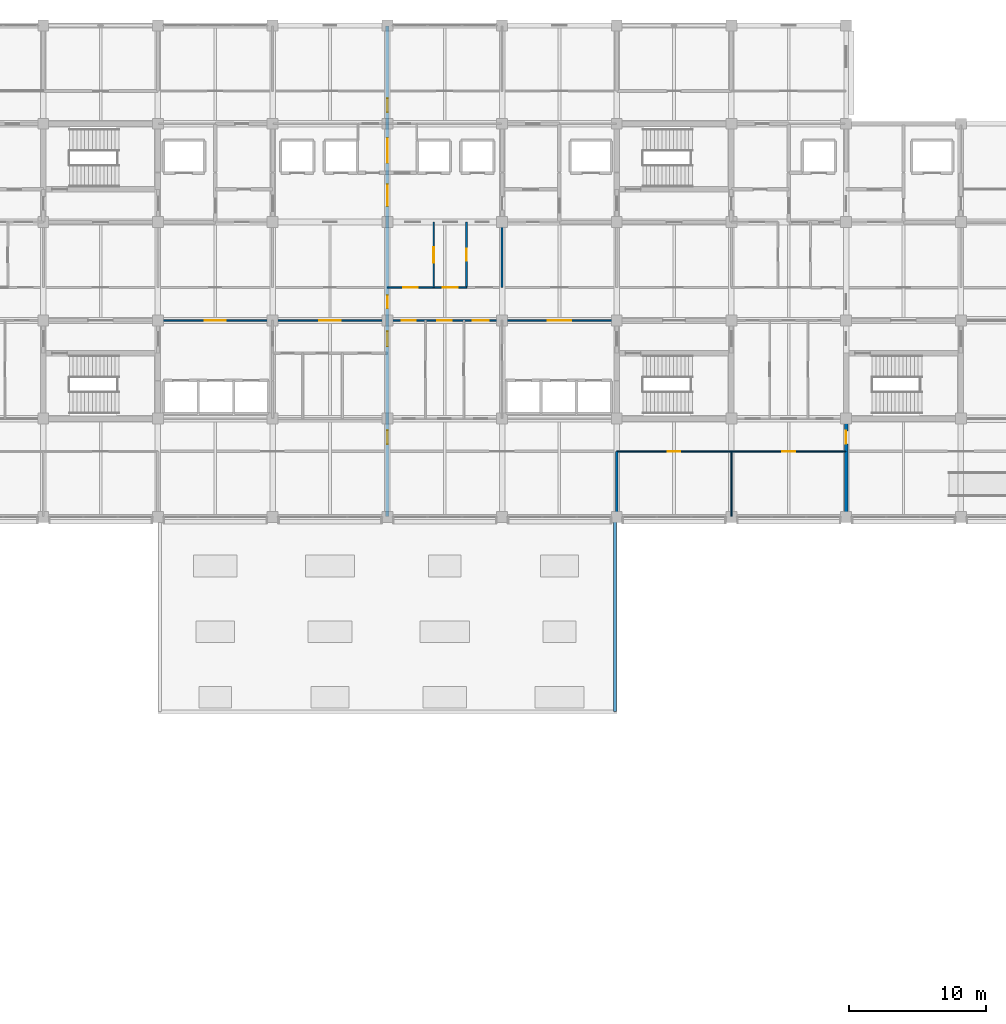
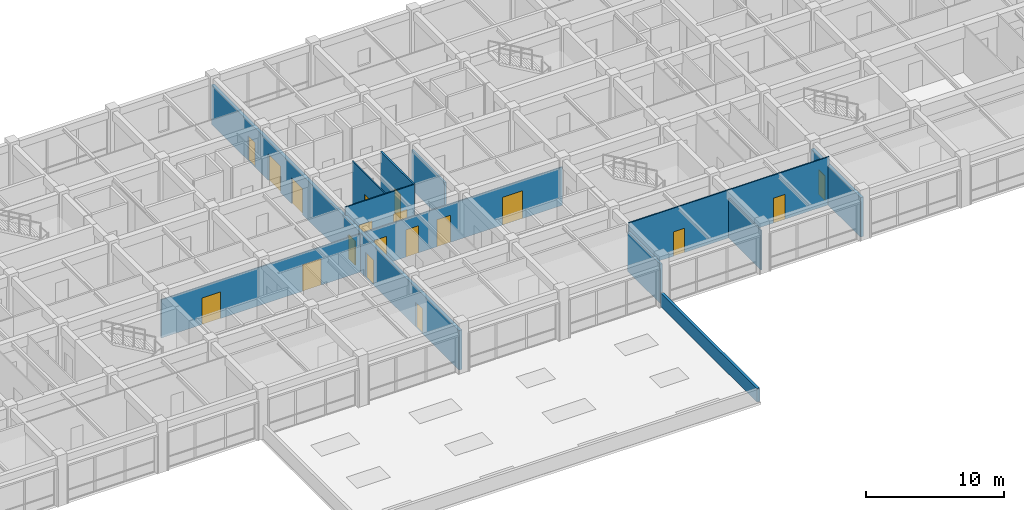
# One storey, part 23 of 40: 19 doors, 11 walls, 19 openings.
"""IFC4 building model written with IfcOpenShell, lengths in metres."""

from ifc_helpers import new_model, si_unit, direction, frame, frame_2d, origin, place, context, subcontext, project, spatial, rectangle, extrude, material, layer, layer_set, type_object, element, fill, save


model = new_model("IFC4")

# Units and contexts
model_context = context("Model", 3, precision=1e-05, world=origin(), true_north=direction((0.0, 1.0)))
body_context = subcontext(model_context, "Body", "Model", "MODEL_VIEW")
ifc_project = project(units=[si_unit("LENGTHUNIT", "METRE"), si_unit("AREAUNIT", "SQUARE_METRE"), si_unit("VOLUMEUNIT", "CUBIC_METRE"), si_unit("PLANEANGLEUNIT", "RADIAN"), si_unit("MASSUNIT", "GRAM", prefix="KILO")], contexts=[model_context])

# Site, building, storey
site_placement = place(None, origin())
site = spatial("IfcSite", under=ifc_project, at=site_placement, CompositionType="ELEMENT")
building_placement = place(site_placement, origin())
building = spatial("IfcBuilding", under=site, at=building_placement, Name="Chengyuan Square Courthouse", CompositionType="ELEMENT")
storey_placement = place(building_placement, frame((0.0, 0.0, 21.60009765625)))
storey = spatial("IfcBuildingStorey", under=building, at=storey_placement, Name="L05", CompositionType="ELEMENT", Elevation=21.60009765625)

# Wall, openings, doors
ifc_material_1 = material(Name="Concrete C40", Category="concrete")
ifc_layer_1 = layer(ifc_material_1, 0.25)
ifc_layer_set_1 = layer_set([ifc_layer_1], Name="Concrete C40")
wall_type_1 = type_object("IfcWallType", Name="WL-FW1", PredefinedType="STANDARD", material=ifc_layer_set_1)
wall_1_placement = place(storey_placement, frame((84.0, 79.239990234375, 0.0), z_axis=(0.0, 0.0, 1.0), x_axis=(0.0, 1.0, 0.0)))
wall_1 = element("IfcWall", 1, at=wall_1_placement, inside=storey, type_object=wall_type_1, Name="Interior Wall WL-L05-I2290", PredefinedType="STANDARD", context=body_context, shape_type="SweptSolid", body=[
    extrude(rectangle(XDim=35.919921875, YDim=0.25, at=frame_2d((17.9599609375, 0.0))), origin(), (0.0, 0.0, 1.0), 3.489990234375),
])
opening_1_placement = place(wall_1_placement, frame((22.719970703125, 0.0, 0.0)))
opening_1 = element("IfcOpeningElement", 2, at=opening_1_placement, cuts=wall_1, Name="Opening DR-1963", PredefinedType="OPENING", context=body_context, shape_type="SweptSolid", body=[
    extrude(rectangle(XDim=1.60009765625, YDim=2.300048828125, at=frame_2d((0.800048828125, 1.14990234375))), frame((0.0, 0.136962890625, 0.0), z_axis=(0.0, -1.0, 0.0), x_axis=(1.0, 0.0, 0.0)), (0.0, 0.0, 1.0), 0.27392578125),
])
opening_2_placement = place(wall_1_placement, frame((12.449951171875, 0.0, 0.0)))
opening_2 = element("IfcOpeningElement", 3, at=opening_2_placement, cuts=wall_1, Name="Opening DR-2002", PredefinedType="OPENING", context=body_context, shape_type="SweptSolid", body=[
    extrude(rectangle(XDim=1.10009765625, YDim=2.199951171875, at=frame_2d((0.550048828125, 1.10009765625))), frame((0.0, 0.136962890625, 0.0), z_axis=(0.0, -1.0, 0.0), x_axis=(1.0, 0.0, 0.0)), (0.0, 0.0, 1.0), 0.27392578125),
])
opening_3_placement = place(wall_1_placement, frame((15.2451171875, 0.0, 0.0)))
opening_3 = element("IfcOpeningElement", 4, at=opening_3_placement, cuts=wall_1, Name="Opening DR-2013", PredefinedType="OPENING", context=body_context, shape_type="SweptSolid", body=[
    extrude(rectangle(XDim=0.949951171875, YDim=2.14990234375, at=frame_2d((0.47509765625, 1.074951171875))), frame((0.0, 0.136962890625, 0.0), z_axis=(0.0, -1.0, 0.0), x_axis=(1.0, 0.0, 0.0)), (0.0, 0.0, 1.0), 0.27392578125),
])
opening_4_placement = place(wall_1_placement, frame((25.89990234375, 0.0, 0.0)))
opening_4 = element("IfcOpeningElement", 5, at=opening_4_placement, cuts=wall_1, Name="Opening DR-2084", PredefinedType="OPENING", context=body_context, shape_type="SweptSolid", body=[
    extrude(rectangle(XDim=1.800048828125, YDim=2.35009765625, at=frame_2d((0.89990234375, 1.175048828125))), frame((0.0, 0.136962890625, 0.0), z_axis=(0.0, -1.0, 0.0), x_axis=(1.0, 0.0, 0.0)), (0.0, 0.0, 1.0), 0.27392578125),
])
opening_5_placement = place(wall_1_placement, frame((29.6201171875, 0.0, 0.0)))
opening_5 = element("IfcOpeningElement", 6, at=opening_5_placement, cuts=wall_1, Name="Opening DR-2087", PredefinedType="OPENING", context=body_context, shape_type="SweptSolid", body=[
    extrude(rectangle(XDim=1.0, YDim=2.199951171875, at=frame_2d((0.5, 1.10009765625))), frame((0.0, 0.136962890625, 0.0), z_axis=(0.0, -1.0, 0.0), x_axis=(1.0, 0.0, 0.0)), (0.0, 0.0, 1.0), 0.27392578125),
])
opening_6_placement = place(wall_1_placement, frame((5.300048828125, 0.0, 0.0)))
opening_6 = element("IfcOpeningElement", 7, at=opening_6_placement, cuts=wall_1, Name="Opening DR-2099", PredefinedType="OPENING", context=body_context, shape_type="SweptSolid", body=[
    extrude(rectangle(XDim=1.0, YDim=2.199951171875, at=frame_2d((0.5, 1.10009765625))), frame((0.0, 0.136962890625, 0.0), z_axis=(0.0, -1.0, 0.0), x_axis=(1.0, 0.0, 0.0)), (0.0, 0.0, 1.0), 0.27392578125),
])
ifc_material_2 = material(Name="Steel Q235B Fire Door", Category="steel")
door_type_1 = type_object("IfcDoorType", Name="DT-10", OperationType="NOTDEFINED", PredefinedType="DOOR", material=ifc_material_2)
door_1_placement = place(opening_2_placement, origin())
door_1 = element("IfcDoor", 8, at=door_1_placement, inside=storey, type_object=door_type_1, Name="Interior Door DR-2002", OperationType="SINGLE_SWING_LEFT", OverallHeight=2.199951171875, OverallWidth=1.10009765625, PredefinedType="DOOR", context=body_context, shape_type="SweptSolid", body=[
    extrude(rectangle(XDim=1.10009765625, YDim=2.199951171875, at=frame_2d((0.550048828125, 1.10009765625))), frame((0.0, 0.02490234375, 0.0), z_axis=(0.0, -1.0, 0.0), x_axis=(1.0, 0.0, 0.0)), (0.0, 0.0, 1.0), 0.050048828125),
])
fill(opening_2, door_1)
door_type_2 = type_object("IfcDoorType", Name="DT-11", OperationType="NOTDEFINED", PredefinedType="DOOR", material=ifc_material_2)
door_2_placement = place(opening_5_placement, origin())
door_2 = element("IfcDoor", 9, at=door_2_placement, inside=storey, type_object=door_type_2, Name="Interior Door DR-2087", OperationType="SINGLE_SWING_LEFT", OverallHeight=2.199951171875, OverallWidth=1.0, PredefinedType="DOOR", context=body_context, shape_type="SweptSolid", body=[
    extrude(rectangle(XDim=1.0, YDim=2.199951171875, at=frame_2d((0.5, 1.10009765625))), frame((0.0, 0.02490234375, 0.0), z_axis=(0.0, -1.0, 0.0), x_axis=(1.0, 0.0, 0.0)), (0.0, 0.0, 1.0), 0.050048828125),
])
fill(opening_5, door_2)
door_3_placement = place(opening_6_placement, origin())
door_3 = element("IfcDoor", 10, at=door_3_placement, inside=storey, type_object=door_type_2, Name="Interior Door DR-2099", OperationType="SINGLE_SWING_LEFT", OverallHeight=2.199951171875, OverallWidth=1.0, PredefinedType="DOOR", context=body_context, shape_type="SweptSolid", body=[
    extrude(rectangle(XDim=1.0, YDim=2.199951171875, at=frame_2d((0.5, 1.10009765625))), frame((0.0, 0.02490234375, 0.0), z_axis=(0.0, -1.0, 0.0), x_axis=(1.0, 0.0, 0.0)), (0.0, 0.0, 1.0), 0.050048828125),
])
fill(opening_6, door_3)
door_type_3 = type_object("IfcDoorType", Name="DT-12", OperationType="NOTDEFINED", PredefinedType="DOOR", material=ifc_material_2)
door_4_placement = place(opening_3_placement, origin())
door_4 = element("IfcDoor", 11, at=door_4_placement, inside=storey, type_object=door_type_3, Name="Interior Door DR-2013", OperationType="SINGLE_SWING_LEFT", OverallHeight=2.14990234375, OverallWidth=0.949951171875, PredefinedType="DOOR", context=body_context, shape_type="SweptSolid", body=[
    extrude(rectangle(XDim=0.949951171875, YDim=2.14990234375, at=frame_2d((0.47509765625, 1.074951171875))), frame((0.0, 0.02490234375, 0.0), z_axis=(0.0, -1.0, 0.0), x_axis=(1.0, 0.0, 0.0)), (0.0, 0.0, 1.0), 0.050048828125),
])
fill(opening_3, door_4)
ifc_material_3 = material(Name="Steel Q235B Glazed Fire Door", Category="steel")
door_type_4 = type_object("IfcDoorType", Name="DT-17", OperationType="DOUBLE_DOOR_SINGLE_SWING", PredefinedType="DOOR", material=ifc_material_3)
door_5_placement = place(opening_1_placement, frame((1.60009765625, 0.0, 0.0), z_axis=(0.0, 0.0, 1.0), x_axis=(-1.0, 0.0, 0.0)))
door_5 = element("IfcDoor", 12, at=door_5_placement, inside=storey, type_object=door_type_4, Name="Interior Door DR-1963", OperationType="DOUBLE_DOOR_SINGLE_SWING", OverallHeight=2.300048828125, OverallWidth=1.60009765625, PredefinedType="DOOR", context=body_context, shape_type="SweptSolid", body=[
    extrude(rectangle(XDim=1.60009765625, YDim=2.300048828125, at=frame_2d((0.800048828125, 1.14990234375))), frame((0.0, 0.02490234375, 0.0), z_axis=(0.0, -1.0, 0.0), x_axis=(1.0, 0.0, 0.0)), (0.0, 0.0, 1.0), 0.050048828125),
])
fill(opening_1, door_5)
door_type_5 = type_object("IfcDoorType", Name="DT-18", OperationType="DOUBLE_DOOR_SINGLE_SWING", PredefinedType="DOOR", material=ifc_material_3)
door_6_placement = place(opening_4_placement, frame((1.800048828125, 0.0, 0.0), z_axis=(0.0, 0.0, 1.0), x_axis=(-1.0, 0.0, 0.0)))
door_6 = element("IfcDoor", 13, at=door_6_placement, inside=storey, type_object=door_type_5, Name="Interior Door DR-2084", OperationType="DOUBLE_DOOR_SINGLE_SWING", OverallHeight=2.35009765625, OverallWidth=1.800048828125, PredefinedType="DOOR", context=body_context, shape_type="SweptSolid", body=[
    extrude(rectangle(XDim=1.800048828125, YDim=2.35009765625, at=frame_2d((0.89990234375, 1.175048828125))), frame((0.0, 0.02490234375, 0.0), z_axis=(0.0, -1.0, 0.0), x_axis=(1.0, 0.0, 0.0)), (0.0, 0.0, 1.0), 0.050048828125),
])
fill(opening_4, door_6)

# Wall, opening, door
wall_2_placement = place(storey_placement, frame((117.60009765625, 79.239990234375, 0.0), z_axis=(0.0, 0.0, 1.0), x_axis=(0.0, 1.0, 0.0)))
wall_2 = element("IfcWall", 14, at=wall_2_placement, inside=storey, type_object=wall_type_1, Name="Interior Wall WL-L05-I2338", PredefinedType="STANDARD", context=body_context, shape_type="SweptSolid", body=[
    extrude(rectangle(XDim=7.159912109375, YDim=0.25, at=frame_2d((3.580078125, 0.0))), origin(), (0.0, 0.0, 1.0), 3.489990234375),
])
opening_7_placement = place(wall_2_placement, frame((5.324951171875, 0.0, 0.0)))
opening_7 = element("IfcOpeningElement", 15, at=opening_7_placement, cuts=wall_2, Name="Opening DR-2103", PredefinedType="OPENING", context=body_context, shape_type="SweptSolid", body=[
    extrude(rectangle(XDim=0.949951171875, YDim=2.14990234375, at=frame_2d((0.47509765625, 1.074951171875))), frame((0.0, 0.136962890625, 0.0), z_axis=(0.0, -1.0, 0.0), x_axis=(1.0, 0.0, 0.0)), (0.0, 0.0, 1.0), 0.27392578125),
])
door_7_placement = place(opening_7_placement, origin())
door_7 = element("IfcDoor", 16, at=door_7_placement, inside=storey, type_object=door_type_3, Name="Interior Door DR-2103", OperationType="SINGLE_SWING_RIGHT", OverallHeight=2.14990234375, OverallWidth=0.949951171875, PredefinedType="DOOR", context=body_context, shape_type="SweptSolid", body=[
    extrude(rectangle(XDim=0.949951171875, YDim=2.14990234375, at=frame_2d((0.47509765625, 1.074951171875))), frame((0.0, 0.02490234375, 0.0), z_axis=(0.0, -1.0, 0.0), x_axis=(1.0, 0.0, 0.0)), (0.0, 0.0, 1.0), 0.050048828125),
])
fill(opening_7, door_7)

# Walls
ifc_layer_2 = layer(ifc_material_1, 0.219970703125)
ifc_layer_set_2 = layer_set([ifc_layer_2], Name="Concrete C40")
wall_type_2 = type_object("IfcWallType", Name="WL-PR1", PredefinedType="PARAPET", material=ifc_layer_set_2)
wall_3_placement = place(storey_placement, frame((100.659912109375, 64.93994140625, 0.0), z_axis=(0.0, 0.0, 1.0), x_axis=(0.0, 1.0, 0.0)))
element("IfcWall", 17, at=wall_3_placement, inside=storey, type_object=wall_type_2, Name="Roof Parapet Wall PAR-L05-013", PredefinedType="PARAPET", context=body_context, shape_type="SweptSolid", body=[
    extrude(rectangle(XDim=13.9599609375, YDim=0.219970703125, at=frame_2d((6.97998046875, 0.0))), origin(), (0.0, 0.0, 1.0), 1.199951171875),
])
ifc_material_4 = material(Name="Double-Stud Acoustic Gypsum Courtroom Partition")
ifc_layer_3 = layer(ifc_material_4, 0.179931640625)
ifc_layer_set_3 = layer_set([ifc_layer_3], Name="Double-Stud Acoustic Gypsum Courtroom Partition")
wall_type_3 = type_object("IfcWallType", Name="WL-PT1", PredefinedType="STANDARD", material=ifc_layer_set_3)
wall_4_placement = place(storey_placement, frame((100.800048828125, 79.239990234375, 0.0), z_axis=(0.0, 0.0, 1.0), x_axis=(0.0, 1.0, 0.0)))
element("IfcWall", 18, at=wall_4_placement, inside=storey, type_object=wall_type_3, Name="Interior Wall WL-L05-I2314", PredefinedType="STANDARD", context=body_context, shape_type="SweptSolid", body=[
    extrude(rectangle(XDim=4.760009765625, YDim=0.179931640625, at=frame_2d((2.3798828125, 0.0))), origin(), (0.0, 0.0, 1.0), 3.489990234375),
])

# Wall, opening, door
ifc_material_5 = material(Name="Deliberation Room Sound-Insulated Partition")
ifc_layer_4 = layer(ifc_material_5, 0.14990234375)
ifc_layer_set_4 = layer_set([ifc_layer_4], Name="Deliberation Room Sound-Insulated Partition")
wall_type_4 = type_object("IfcWallType", Name="WL-PT3", PredefinedType="STANDARD", material=ifc_layer_set_4)
wall_5_placement = place(storey_placement, frame((89.800048828125, 96.0, 0.0), z_axis=(0.0, 0.0, 1.0), x_axis=(0.0, 1.0, 0.0)))
wall_5 = element("IfcWall", 19, at=wall_5_placement, inside=storey, type_object=wall_type_4, Name="Interior Wall WL-L05-I2298", PredefinedType="STANDARD", context=body_context, shape_type="SweptSolid", body=[
    extrude(rectangle(XDim=4.800048828125, YDim=0.14990234375, at=frame_2d((2.39990234375, 0.0))), origin(), (0.0, 0.0, 1.0), 4.239990234375),
])
opening_8_placement = place(wall_5_placement, frame((1.949951171875, 0.0, 0.0)))
opening_8 = element("IfcOpeningElement", 20, at=opening_8_placement, cuts=wall_5, Name="Opening DR-2052", PredefinedType="OPENING", context=body_context, shape_type="SweptSolid", body=[
    extrude(rectangle(XDim=0.89990234375, YDim=2.14990234375, at=frame_2d((0.449951171875, 1.074951171875))), frame((0.0, 0.0869140625, 0.0), z_axis=(0.0, -1.0, 0.0), x_axis=(1.0, 0.0, 0.0)), (0.0, 0.0, 1.0), 0.173828125),
])
ifc_material_6 = material(Name="Acoustic Solid-Core Timber Door", Category="wood")
door_type_6 = type_object("IfcDoorType", Name="DT-27", OperationType="NOTDEFINED", PredefinedType="DOOR", material=ifc_material_6)
door_8_placement = place(opening_8_placement, origin())
door_8 = element("IfcDoor", 21, at=door_8_placement, inside=storey, type_object=door_type_6, Name="Interior Door DR-2052", OperationType="SINGLE_SWING_LEFT", OverallHeight=2.14990234375, OverallWidth=0.89990234375, PredefinedType="DOOR", context=body_context, shape_type="SweptSolid", body=[
    extrude(rectangle(XDim=0.89990234375, YDim=2.14990234375, at=frame_2d((0.449951171875, 1.074951171875))), frame((0.0, 0.02490234375, 0.0), z_axis=(0.0, -1.0, 0.0), x_axis=(1.0, 0.0, 0.0)), (0.0, 0.0, 1.0), 0.050048828125),
])
fill(opening_8, door_8)

# Wall
wall_6_placement = place(storey_placement, frame((92.39990234375, 96.0, 0.0), z_axis=(0.0, 0.0, 1.0), x_axis=(0.0, 1.0, 0.0)))
element("IfcWall", 22, at=wall_6_placement, inside=storey, type_object=wall_type_4, Name="Interior Wall WL-L05-I2302", PredefinedType="STANDARD", context=body_context, shape_type="SweptSolid", body=[
    extrude(rectangle(XDim=4.800048828125, YDim=0.14990234375, at=frame_2d((2.39990234375, 0.0))), origin(), (0.0, 0.0, 1.0), 3.489990234375),
])

# Wall, openings, doors
ifc_material_7 = material(Name="Gypsum Plasterboard Acoustic Stud Partition")
ifc_layer_5 = layer(ifc_material_7, 0.10009765625)
ifc_layer_set_5 = layer_set([ifc_layer_5], Name="Gypsum Plasterboard Acoustic Stud Partition")
wall_type_5 = type_object("IfcWallType", Name="WL-PT6", PredefinedType="STANDARD", material=ifc_layer_set_5)
wall_7_placement = place(storey_placement, frame((100.800048828125, 84.0, 0.0), z_axis=(0.0, 0.0, 1.0), x_axis=(1.0, 0.0, 0.0)))
wall_7 = element("IfcWall", 23, at=wall_7_placement, inside=storey, type_object=wall_type_5, Name="Interior Wall WL-L05-I2106", PredefinedType="STANDARD", context=body_context, shape_type="SweptSolid", body=[
    extrude(rectangle(XDim=16.800048828125, YDim=0.10009765625, at=frame_2d((8.39990234375, 0.0))), origin(), (0.0, 0.0, 1.0), 4.239990234375),
])
opening_9_placement = place(wall_7_placement, frame((3.739990234375, 0.0, 0.0)))
opening_9 = element("IfcOpeningElement", 24, at=opening_9_placement, cuts=wall_7, Name="Opening DR-2105", PredefinedType="OPENING", context=body_context, shape_type="SweptSolid", body=[
    extrude(rectangle(XDim=0.919921875, YDim=2.14990234375, at=frame_2d((0.4599609375, 1.074951171875))), frame((0.0, 0.06201171875, 0.0), z_axis=(0.0, -1.0, 0.0), x_axis=(1.0, 0.0, 0.0)), (0.0, 0.0, 1.0), 0.1240234375),
])
opening_10_placement = place(wall_7_placement, frame((12.1201171875, 0.0, 0.0)))
opening_10 = element("IfcOpeningElement", 25, at=opening_10_placement, cuts=wall_7, Name="Opening DR-2106", PredefinedType="OPENING", context=body_context, shape_type="SweptSolid", body=[
    extrude(rectangle(XDim=0.9599609375, YDim=2.199951171875, at=frame_2d((0.47998046875, 1.10009765625))), frame((0.0, 0.06201171875, 0.0), z_axis=(0.0, -1.0, 0.0), x_axis=(1.0, 0.0, 0.0)), (0.0, 0.0, 1.0), 0.1240234375),
])
door_type_7 = type_object("IfcDoorType", Name="DT-29", OperationType="NOTDEFINED", PredefinedType="DOOR", material=ifc_material_6)
door_9_placement = place(opening_9_placement, origin())
door_9 = element("IfcDoor", 26, at=door_9_placement, inside=storey, type_object=door_type_7, Name="Interior Door DR-2105", OperationType="SINGLE_SWING_LEFT", OverallHeight=2.14990234375, OverallWidth=0.919921875, PredefinedType="DOOR", context=body_context, shape_type="SweptSolid", body=[
    extrude(rectangle(XDim=0.919921875, YDim=2.14990234375, at=frame_2d((0.4599609375, 1.074951171875))), frame((0.0, 0.02490234375, 0.0), z_axis=(0.0, -1.0, 0.0), x_axis=(1.0, 0.0, 0.0)), (0.0, 0.0, 1.0), 0.050048828125),
])
fill(opening_9, door_9)
door_type_8 = type_object("IfcDoorType", Name="DT-30", OperationType="NOTDEFINED", PredefinedType="DOOR", material=ifc_material_6)
door_10_placement = place(opening_10_placement, origin())
door_10 = element("IfcDoor", 27, at=door_10_placement, inside=storey, type_object=door_type_8, Name="Interior Door DR-2106", OperationType="SINGLE_SWING_RIGHT", OverallHeight=2.199951171875, OverallWidth=0.9599609375, PredefinedType="DOOR", context=body_context, shape_type="SweptSolid", body=[
    extrude(rectangle(XDim=0.9599609375, YDim=2.199951171875, at=frame_2d((0.47998046875, 1.10009765625))), frame((0.0, 0.02490234375, 0.0), z_axis=(0.0, -1.0, 0.0), x_axis=(1.0, 0.0, 0.0)), (0.0, 0.0, 1.0), 0.050048828125),
])
fill(opening_10, door_10)

wall_8_placement = place(storey_placement, frame((67.199951171875, 93.60009765625, 0.0), z_axis=(0.0, 0.0, 1.0), x_axis=(1.0, 0.0, 0.0)))
wall_8 = element("IfcWall", 28, at=wall_8_placement, inside=storey, type_object=wall_type_5, Name="Interior Wall WL-L05-I2138", PredefinedType="STANDARD", context=body_context, shape_type="SweptSolid", body=[
    extrude(rectangle(XDim=33.60009765625, YDim=0.10009765625, at=frame_2d((16.800048828125, 0.0))), origin(), (0.0, 0.0, 1.0), 3.389892578125),
])
opening_11_placement = place(wall_8_placement, frame((3.425048828125, 0.0, 0.0)))
opening_11 = element("IfcOpeningElement", 29, at=opening_11_placement, cuts=wall_8, Name="Opening DR-1971", PredefinedType="OPENING", context=body_context, shape_type="SweptSolid", body=[
    extrude(rectangle(XDim=1.550048828125, YDim=2.35009765625, at=frame_2d((0.77490234375, 1.175048828125))), frame((0.0, 0.06201171875, 0.0), z_axis=(0.0, -1.0, 0.0), x_axis=(1.0, 0.0, 0.0)), (0.0, 0.0, 1.0), 0.1240234375),
])
opening_12_placement = place(wall_8_placement, frame((28.550048828125, 0.0, 0.0)))
opening_12 = element("IfcOpeningElement", 30, at=opening_12_placement, cuts=wall_8, Name="Opening DR-1972", PredefinedType="OPENING", context=body_context, shape_type="SweptSolid", body=[
    extrude(rectangle(XDim=1.699951171875, YDim=2.449951171875, at=frame_2d((0.85009765625, 1.22509765625))), frame((0.0, 0.06201171875, 0.0), z_axis=(0.0, -1.0, 0.0), x_axis=(1.0, 0.0, 0.0)), (0.0, 0.0, 1.0), 0.1240234375),
])
opening_13_placement = place(wall_8_placement, frame((11.824951171875, 0.0, 0.0)))
opening_13 = element("IfcOpeningElement", 31, at=opening_13_placement, cuts=wall_8, Name="Opening DR-2001", PredefinedType="OPENING", context=body_context, shape_type="SweptSolid", body=[
    extrude(rectangle(XDim=1.550048828125, YDim=2.35009765625, at=frame_2d((0.77490234375, 1.175048828125))), frame((0.0, 0.06201171875, 0.0), z_axis=(0.0, -1.0, 0.0), x_axis=(1.0, 0.0, 0.0)), (0.0, 0.0, 1.0), 0.1240234375),
])
opening_14_placement = place(wall_8_placement, frame((17.85009765625, 0.0, 0.0)))
opening_14 = element("IfcOpeningElement", 32, at=opening_14_placement, cuts=wall_8, Name="Opening DR-2032", PredefinedType="OPENING", context=body_context, shape_type="SweptSolid", body=[
    extrude(rectangle(XDim=1.02001953125, YDim=2.39990234375, at=frame_2d((0.510009765625, 1.199951171875))), frame((0.0, 0.06201171875, 0.0), z_axis=(0.0, -1.0, 0.0), x_axis=(1.0, 0.0, 0.0)), (0.0, 0.0, 1.0), 0.1240234375),
])
opening_15_placement = place(wall_8_placement, frame((20.469970703125, 0.0, 0.0)))
opening_15 = element("IfcOpeningElement", 33, at=opening_15_placement, cuts=wall_8, Name="Opening DR-2033", PredefinedType="OPENING", context=body_context, shape_type="SweptSolid", body=[
    extrude(rectangle(XDim=1.06005859375, YDim=2.39990234375, at=frame_2d((0.530029296875, 1.199951171875))), frame((0.0, 0.06201171875, 0.0), z_axis=(0.0, -1.0, 0.0), x_axis=(1.0, 0.0, 0.0)), (0.0, 0.0, 1.0), 0.1240234375),
])
opening_16_placement = place(wall_8_placement, frame((23.070068359375, 0.0, 0.0)))
opening_16 = element("IfcOpeningElement", 34, at=opening_16_placement, cuts=wall_8, Name="Opening DR-2034", PredefinedType="OPENING", context=body_context, shape_type="SweptSolid", body=[
    extrude(rectangle(XDim=1.139892578125, YDim=2.39990234375, at=frame_2d((0.56982421875, 1.199951171875))), frame((0.0, 0.06201171875, 0.0), z_axis=(0.0, -1.0, 0.0), x_axis=(1.0, 0.0, 0.0)), (0.0, 0.0, 1.0), 0.1240234375),
])
ifc_material_8 = material(Name="Acoustic Larch Veneer Double Door")
door_type_9 = type_object("IfcDoorType", Name="DT-23", OperationType="DOUBLE_DOOR_SINGLE_SWING", PredefinedType="DOOR", material=ifc_material_8)
door_11_placement = place(opening_11_placement, frame((1.550048828125, 0.0, 0.0), z_axis=(0.0, 0.0, 1.0), x_axis=(-1.0, 0.0, 0.0)))
door_11 = element("IfcDoor", 35, at=door_11_placement, inside=storey, type_object=door_type_9, Name="Interior Door DR-1971", OperationType="DOUBLE_DOOR_SINGLE_SWING", OverallHeight=2.35009765625, OverallWidth=1.550048828125, PredefinedType="DOOR", context=body_context, shape_type="SweptSolid", body=[
    extrude(rectangle(XDim=1.550048828125, YDim=2.35009765625, at=frame_2d((0.77490234375, 1.175048828125))), frame((0.0, 0.02490234375, 0.0), z_axis=(0.0, -1.0, 0.0), x_axis=(1.0, 0.0, 0.0)), (0.0, 0.0, 1.0), 0.050048828125),
])
fill(opening_11, door_11)
door_12_placement = place(opening_13_placement, frame((1.550048828125, 0.0, 0.0), z_axis=(0.0, 0.0, 1.0), x_axis=(-1.0, 0.0, 0.0)))
door_12 = element("IfcDoor", 36, at=door_12_placement, inside=storey, type_object=door_type_9, Name="Interior Door DR-2001", OperationType="DOUBLE_DOOR_SINGLE_SWING", OverallHeight=2.35009765625, OverallWidth=1.550048828125, PredefinedType="DOOR", context=body_context, shape_type="SweptSolid", body=[
    extrude(rectangle(XDim=1.550048828125, YDim=2.35009765625, at=frame_2d((0.77490234375, 1.175048828125))), frame((0.0, 0.02490234375, 0.0), z_axis=(0.0, -1.0, 0.0), x_axis=(1.0, 0.0, 0.0)), (0.0, 0.0, 1.0), 0.050048828125),
])
fill(opening_13, door_12)
door_type_10 = type_object("IfcDoorType", Name="DT-24", OperationType="DOUBLE_DOOR_SINGLE_SWING", PredefinedType="DOOR", material=ifc_material_8)
door_13_placement = place(opening_12_placement, frame((1.699951171875, 0.0, 0.0), z_axis=(0.0, 0.0, 1.0), x_axis=(-1.0, 0.0, 0.0)))
door_13 = element("IfcDoor", 37, at=door_13_placement, inside=storey, type_object=door_type_10, Name="Interior Door DR-1972", OperationType="DOUBLE_DOOR_SINGLE_SWING", OverallHeight=2.449951171875, OverallWidth=1.699951171875, PredefinedType="DOOR", context=body_context, shape_type="SweptSolid", body=[
    extrude(rectangle(XDim=1.699951171875, YDim=2.449951171875, at=frame_2d((0.85009765625, 1.22509765625))), frame((0.0, 0.02490234375, 0.0), z_axis=(0.0, -1.0, 0.0), x_axis=(1.0, 0.0, 0.0)), (0.0, 0.0, 1.0), 0.050048828125),
])
fill(opening_12, door_13)
door_type_11 = type_object("IfcDoorType", Name="DT-41", OperationType="NOTDEFINED", PredefinedType="DOOR", material=ifc_material_6)
door_14_placement = place(opening_14_placement, origin())
door_14 = element("IfcDoor", 38, at=door_14_placement, inside=storey, type_object=door_type_11, Name="Interior Door DR-2032", OperationType="SINGLE_SWING_RIGHT", OverallHeight=2.39990234375, OverallWidth=1.02001953125, PredefinedType="DOOR", context=body_context, shape_type="SweptSolid", body=[
    extrude(rectangle(XDim=1.02001953125, YDim=2.39990234375, at=frame_2d((0.510009765625, 1.199951171875))), frame((0.0, 0.02490234375, 0.0), z_axis=(0.0, -1.0, 0.0), x_axis=(1.0, 0.0, 0.0)), (0.0, 0.0, 1.0), 0.050048828125),
])
fill(opening_14, door_14)
door_type_12 = type_object("IfcDoorType", Name="DT-42", OperationType="NOTDEFINED", PredefinedType="DOOR", material=ifc_material_6)
door_15_placement = place(opening_15_placement, origin())
door_15 = element("IfcDoor", 39, at=door_15_placement, inside=storey, type_object=door_type_12, Name="Interior Door DR-2033", OperationType="SINGLE_SWING_LEFT", OverallHeight=2.39990234375, OverallWidth=1.06005859375, PredefinedType="DOOR", context=body_context, shape_type="SweptSolid", body=[
    extrude(rectangle(XDim=1.06005859375, YDim=2.39990234375, at=frame_2d((0.530029296875, 1.199951171875))), frame((0.0, 0.02490234375, 0.0), z_axis=(0.0, -1.0, 0.0), x_axis=(1.0, 0.0, 0.0)), (0.0, 0.0, 1.0), 0.050048828125),
])
fill(opening_15, door_15)
door_type_13 = type_object("IfcDoorType", Name="DT-43", OperationType="NOTDEFINED", PredefinedType="DOOR", material=ifc_material_6)
door_16_placement = place(opening_16_placement, origin())
door_16 = element("IfcDoor", 40, at=door_16_placement, inside=storey, type_object=door_type_13, Name="Interior Door DR-2034", OperationType="SINGLE_SWING_RIGHT", OverallHeight=2.39990234375, OverallWidth=1.139892578125, PredefinedType="DOOR", context=body_context, shape_type="SweptSolid", body=[
    extrude(rectangle(XDim=1.139892578125, YDim=2.39990234375, at=frame_2d((0.56982421875, 1.199951171875))), frame((0.0, 0.02490234375, 0.0), z_axis=(0.0, -1.0, 0.0), x_axis=(1.0, 0.0, 0.0)), (0.0, 0.0, 1.0), 0.050048828125),
])
fill(opening_16, door_16)

wall_9_placement = place(storey_placement, frame((84.0, 96.0, 0.0), z_axis=(0.0, 0.0, 1.0), x_axis=(1.0, 0.0, 0.0)))
wall_9 = element("IfcWall", 41, at=wall_9_placement, inside=storey, type_object=wall_type_5, Name="Interior Wall WL-L05-I2147", PredefinedType="STANDARD", context=body_context, shape_type="SweptSolid", body=[
    extrude(rectangle(XDim=5.800048828125, YDim=0.10009765625, at=frame_2d((2.89990234375, 0.0))), origin(), (0.0, 0.0, 1.0), 4.239990234375),
])
opening_17_placement = place(wall_9_placement, frame((1.159912109375, 0.0, 0.0)))
opening_17 = element("IfcOpeningElement", 42, at=opening_17_placement, cuts=wall_9, Name="Opening DR-2024", PredefinedType="OPENING", context=body_context, shape_type="SweptSolid", body=[
    extrude(rectangle(XDim=1.080078125, YDim=2.25, at=frame_2d((0.5400390625, 1.125))), frame((0.0, 0.06201171875, 0.0), z_axis=(0.0, -1.0, 0.0), x_axis=(1.0, 0.0, 0.0)), (0.0, 0.0, 1.0), 0.1240234375),
])
opening_18_placement = place(wall_9_placement, frame((4.0400390625, 0.0, 0.0)))
opening_18 = element("IfcOpeningElement", 43, at=opening_18_placement, cuts=wall_9, Name="Opening DR-2025", PredefinedType="OPENING", context=body_context, shape_type="SweptSolid", body=[
    extrude(rectangle(XDim=1.1201171875, YDim=2.25, at=frame_2d((0.56005859375, 1.125))), frame((0.0, 0.06201171875, 0.0), z_axis=(0.0, -1.0, 0.0), x_axis=(1.0, 0.0, 0.0)), (0.0, 0.0, 1.0), 0.1240234375),
])
door_type_14 = type_object("IfcDoorType", Name="DT-33", OperationType="NOTDEFINED", PredefinedType="DOOR", material=ifc_material_6)
door_17_placement = place(opening_17_placement, origin())
door_17 = element("IfcDoor", 44, at=door_17_placement, inside=storey, type_object=door_type_14, Name="Interior Door DR-2024", OperationType="SINGLE_SWING_RIGHT", OverallHeight=2.25, OverallWidth=1.080078125, PredefinedType="DOOR", context=body_context, shape_type="SweptSolid", body=[
    extrude(rectangle(XDim=1.080078125, YDim=2.25, at=frame_2d((0.5400390625, 1.125))), frame((0.0, 0.02490234375, 0.0), z_axis=(0.0, -1.0, 0.0), x_axis=(1.0, 0.0, 0.0)), (0.0, 0.0, 1.0), 0.050048828125),
])
fill(opening_17, door_17)
door_type_15 = type_object("IfcDoorType", Name="DT-34", OperationType="NOTDEFINED", PredefinedType="DOOR", material=ifc_material_6)
door_18_placement = place(opening_18_placement, origin())
door_18 = element("IfcDoor", 45, at=door_18_placement, inside=storey, type_object=door_type_15, Name="Interior Door DR-2025", OperationType="SINGLE_SWING_LEFT", OverallHeight=2.25, OverallWidth=1.1201171875, PredefinedType="DOOR", context=body_context, shape_type="SweptSolid", body=[
    extrude(rectangle(XDim=1.1201171875, YDim=2.25, at=frame_2d((0.56005859375, 1.125))), frame((0.0, 0.02490234375, 0.0), z_axis=(0.0, -1.0, 0.0), x_axis=(1.0, 0.0, 0.0)), (0.0, 0.0, 1.0), 0.050048828125),
])
fill(opening_18, door_18)

# Wall, opening, door
wall_10_placement = place(storey_placement, frame((87.39990234375, 96.0, 0.0), z_axis=(0.0, 0.0, 1.0), x_axis=(0.0, 1.0, 0.0)))
wall_10 = element("IfcWall", 46, at=wall_10_placement, inside=storey, type_object=wall_type_5, Name="Interior Wall WL-L05-I2294", PredefinedType="STANDARD", context=body_context, shape_type="SweptSolid", body=[
    extrude(rectangle(XDim=4.800048828125, YDim=0.10009765625, at=frame_2d((2.39990234375, 0.0))), origin(), (0.0, 0.0, 1.0), 4.239990234375),
])
opening_19_placement = place(wall_10_placement, frame((1.830078125, 0.0, 0.0)))
opening_19 = element("IfcOpeningElement", 47, at=opening_19_placement, cuts=wall_10, Name="Opening DR-2051", PredefinedType="OPENING", context=body_context, shape_type="SweptSolid", body=[
    extrude(rectangle(XDim=1.139892578125, YDim=2.39990234375, at=frame_2d((0.56982421875, 1.199951171875))), frame((0.0, 0.06201171875, 0.0), z_axis=(0.0, -1.0, 0.0), x_axis=(1.0, 0.0, 0.0)), (0.0, 0.0, 1.0), 0.1240234375),
])
door_19_placement = place(opening_19_placement, origin())
door_19 = element("IfcDoor", 48, at=door_19_placement, inside=storey, type_object=door_type_13, Name="Interior Door DR-2051", OperationType="SINGLE_SWING_RIGHT", OverallHeight=2.39990234375, OverallWidth=1.139892578125, PredefinedType="DOOR", context=body_context, shape_type="SweptSolid", body=[
    extrude(rectangle(XDim=1.139892578125, YDim=2.39990234375, at=frame_2d((0.56982421875, 1.199951171875))), frame((0.0, 0.02490234375, 0.0), z_axis=(0.0, -1.0, 0.0), x_axis=(1.0, 0.0, 0.0)), (0.0, 0.0, 1.0), 0.050048828125),
])
fill(opening_19, door_19)

# Wall
wall_11_placement = place(storey_placement, frame((109.199951171875, 79.239990234375, 0.0), z_axis=(0.0, 0.0, 1.0), x_axis=(0.0, 1.0, 0.0)))
element("IfcWall", 49, at=wall_11_placement, inside=storey, type_object=wall_type_5, Name="Interior Wall WL-L05-I2323", PredefinedType="STANDARD", context=body_context, shape_type="SweptSolid", body=[
    extrude(rectangle(XDim=4.760009765625, YDim=0.10009765625, at=frame_2d((2.3798828125, 0.0))), origin(), (0.0, 0.0, 1.0), 3.489990234375),
])

save(model, "model.ifc")
